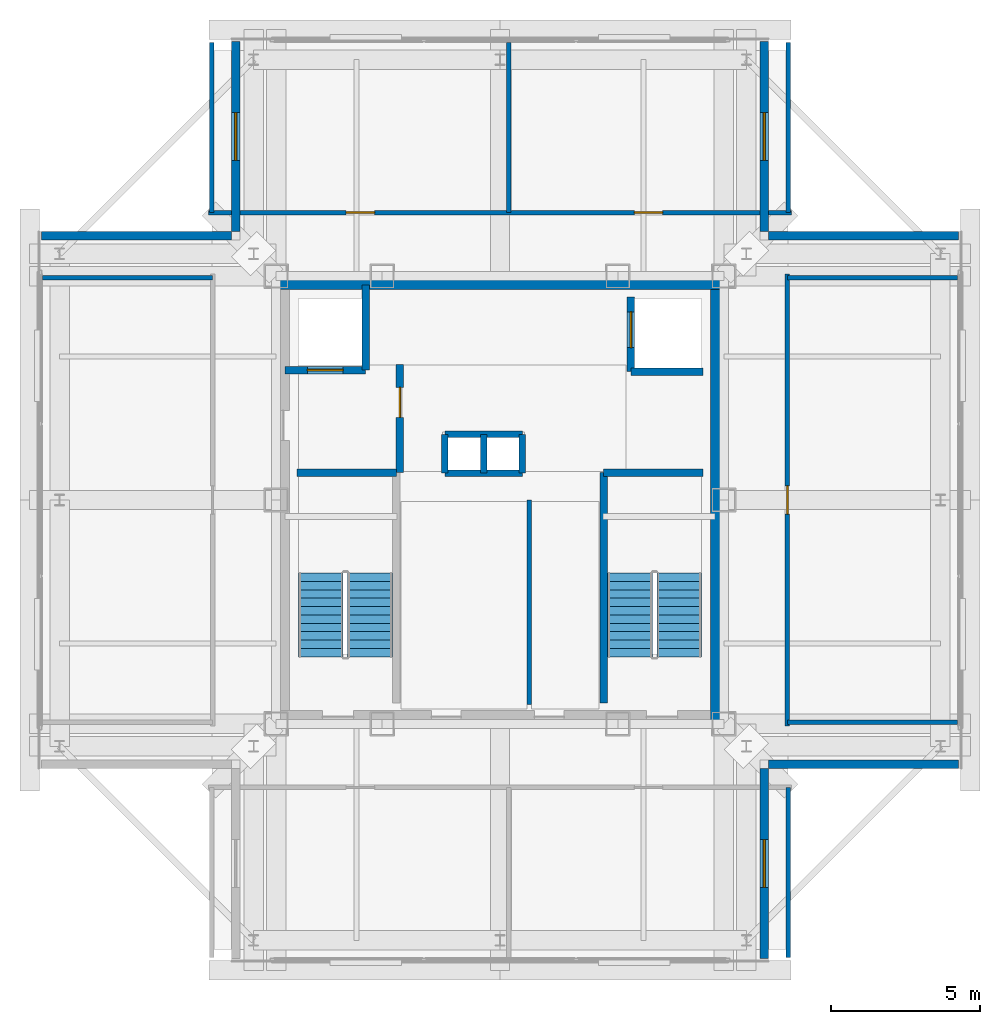
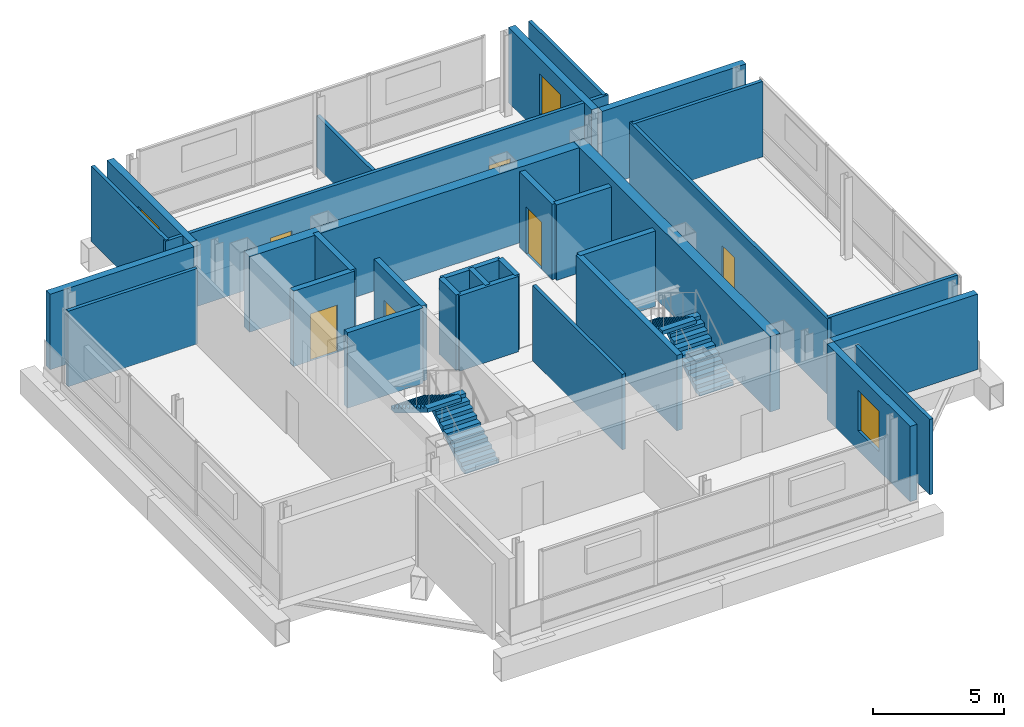
# One storey, part 7 of 10: 31 walls, 6 doors, 4 stair flights, 3 windows, 9 openings, 2 elements without a shape of their own.
"""IFC4 building model written with IfcOpenShell, lengths in metres."""

from ifc_helpers import new_model, si_unit, direction, frame, frame_2d, origin, place, context, subcontext, project, spatial, polyline, rectangle, outline, extrude, material, layer, layer_set, type_object, element, fill, aggregate, save


model = new_model("IFC4")

# Units and contexts
model_context = context("Model", 3, precision=1e-05, world=origin(), true_north=direction((0.0, 1.0)))
body_context = subcontext(model_context, "Body", "Model", "MODEL_VIEW")
ifc_project = project(units=[si_unit("LENGTHUNIT", "METRE"), si_unit("AREAUNIT", "SQUARE_METRE"), si_unit("VOLUMEUNIT", "CUBIC_METRE"), si_unit("PLANEANGLEUNIT", "RADIAN"), si_unit("MASSUNIT", "GRAM", prefix="KILO")], contexts=[model_context])

# Site, building, storey
site_placement = place(None, origin())
site = spatial("IfcSite", under=ifc_project, at=site_placement, CompositionType="ELEMENT")
building_placement = place(site_placement, origin())
building = spatial("IfcBuilding", under=site, at=building_placement, Name="Trevonay Congress Spire", CompositionType="ELEMENT")
storey_placement = place(building_placement, frame((0.0, 0.0, 316.0)))
storey = spatial("IfcBuildingStorey", under=building, at=storey_placement, Name="L83", CompositionType="ELEMENT", Elevation=316.0)

# Walls
ifc_material_1 = material(Name="Concrete C50/60", Category="concrete")
ifc_layer_1 = layer(ifc_material_1, 0.449951171875, Name="Concrete C50/60")
ifc_layer_set_1 = layer_set([ifc_layer_1], Name="Concrete C50/60")
wall_type_1 = type_object("IfcWallType", Name="WAL-CORE-450", PredefinedType="SHEAR", material=ifc_layer_set_1)
for number, where, z_axis, x_axis, name in (
    (1, (-7.5, 7.27490234375, 0.0), (0.0, 0.0, 1.0), (1.0, 0.0, 0.0), "L83 North structural core shear wall"),
    (2, (7.27490234375, -7.5, 0.0), (0.0, 0.0, 1.0), (0.0, 1.0, 0.0), "L83 East structural core shear wall"),
):
    element("IfcWall", number, at=place(storey_placement, frame(where, z_axis=z_axis, x_axis=x_axis)), inside=storey, type_object=wall_type_1, Name=name, PredefinedType="SHEAR", context=body_context, shape_type="SweptSolid", body=[
        extrude(rectangle(XDim=15.0, YDim=0.449951171875, at=frame_2d((7.5, 0.0))), origin(), (0.0, 0.0, 1.0), 3.52001953125),
    ])

# Wall, openings, doors
ifc_material_2 = material(Name="Concrete C40/50", Category="concrete")
ifc_layer_2 = layer(ifc_material_2, 0.14990234375, Name="Concrete C40/50")
ifc_layer_set_2 = layer_set([ifc_layer_2], Name="Concrete C40/50")
wall_type_2 = type_object("IfcWallType", Name="WAL-CORR-150", PredefinedType="PARTITIONING", material=ifc_layer_set_2)
wall_1_placement = place(storey_placement, frame((-9.77001953125, 9.6201171875, 0.0), z_axis=(0.0, 0.0, 1.0), x_axis=(1.0, 0.0, 0.0)))
wall_1 = element("IfcWall", 3, at=wall_1_placement, inside=storey, type_object=wall_type_2, Name="L83 interior wall WP-L83N-COR", PredefinedType="PARTITIONING", context=body_context, shape_type="SweptSolid", body=[
    extrude(rectangle(XDim=19.5400390625, YDim=0.14990234375, at=frame_2d((9.77001953125, 0.0))), origin(), (0.0, 0.0, 1.0), 3.52001953125),
])
opening_1_placement = place(wall_1_placement, frame((4.6201171875, 0.0, 0.0)))
opening_1 = element("IfcOpeningElement", 4, at=opening_1_placement, cuts=wall_1, Name="Opening D07", PredefinedType="OPENING", context=body_context, shape_type="SweptSolid", body=[
    extrude(rectangle(XDim=0.949951171875, YDim=2.06005859375, at=frame_2d((0.47509765625, 1.030029296875))), frame((0.0, 0.0849609375, 0.0), z_axis=(0.0, -1.0, 0.0), x_axis=(1.0, 0.0, 0.0)), (0.0, 0.0, 1.0), 0.169921875),
])
opening_2_placement = place(wall_1_placement, frame((14.27001953125, 0.0, 0.0)))
opening_2 = element("IfcOpeningElement", 5, at=opening_2_placement, cuts=wall_1, Name="Opening D07", PredefinedType="OPENING", context=body_context, shape_type="SweptSolid", body=[
    extrude(rectangle(XDim=0.949951171875, YDim=2.06005859375, at=frame_2d((0.47509765625, 1.030029296875))), frame((0.0, 0.0849609375, 0.0), z_axis=(0.0, -1.0, 0.0), x_axis=(1.0, 0.0, 0.0)), (0.0, 0.0, 1.0), 0.169921875),
])
ifc_material_3 = material(Name="Pale Anodised Aluminium EN AW-6063-T6", Category="aluminium")
door_type_1 = type_object("IfcDoorType", Name="DOR-OFFICE-95", OperationType="NOTDEFINED", PredefinedType="DOOR", material=ifc_material_3)
door_1_placement = place(opening_1_placement, origin())
door_1 = element("IfcDoor", 6, at=door_1_placement, inside=storey, type_object=door_type_1, Name="L83 Crown Electrical Switchroom Plant Door", OperationType="SINGLE_SWING_RIGHT", OverallHeight=2.06005859375, OverallWidth=0.949951171875, PredefinedType="DOOR", context=body_context, shape_type="SweptSolid", body=[
    extrude(rectangle(XDim=0.949951171875, YDim=2.06005859375, at=frame_2d((0.47509765625, 1.030029296875))), frame((0.0, 0.02490234375, 0.0), z_axis=(0.0, -1.0, 0.0), x_axis=(1.0, 0.0, 0.0)), (0.0, 0.0, 1.0), 0.050048828125),
])
fill(opening_1, door_1)
door_2_placement = place(opening_2_placement, origin())
door_2 = element("IfcDoor", 7, at=door_2_placement, inside=storey, type_object=door_type_1, Name="L83 Standby UPS Battery Plant Door", OperationType="SINGLE_SWING_LEFT", OverallHeight=2.06005859375, OverallWidth=0.949951171875, PredefinedType="DOOR", context=body_context, shape_type="SweptSolid", body=[
    extrude(rectangle(XDim=0.949951171875, YDim=2.06005859375, at=frame_2d((0.47509765625, 1.030029296875))), frame((0.0, 0.02490234375, 0.0), z_axis=(0.0, -1.0, 0.0), x_axis=(1.0, 0.0, 0.0)), (0.0, 0.0, 1.0), 0.050048828125),
])
fill(opening_2, door_2)

# Wall, opening, door
wall_2_placement = place(storey_placement, frame((9.6201171875, -7.570068359375, 0.0), z_axis=(0.0, 0.0, 1.0), x_axis=(0.0, 1.0, 0.0)))
wall_2 = element("IfcWall", 8, at=wall_2_placement, inside=storey, type_object=wall_type_2, Name="L83 interior wall WP-L83E-COR", PredefinedType="PARTITIONING", context=body_context, shape_type="SweptSolid", body=[
    extrude(rectangle(XDim=15.14013671875, YDim=0.14990234375, at=frame_2d((7.570068359375, 0.0))), origin(), (0.0, 0.0, 1.0), 3.52001953125),
])
opening_3_placement = place(wall_2_placement, frame((7.094970703125, 0.0, 0.0)))
opening_3 = element("IfcOpeningElement", 9, at=opening_3_placement, cuts=wall_2, Name="Opening D07", PredefinedType="OPENING", context=body_context, shape_type="SweptSolid", body=[
    extrude(rectangle(XDim=0.949951171875, YDim=2.06005859375, at=frame_2d((0.47509765625, 1.030029296875))), frame((0.0, 0.0849609375, 0.0), z_axis=(0.0, -1.0, 0.0), x_axis=(1.0, 0.0, 0.0)), (0.0, 0.0, 1.0), 0.169921875),
])
door_3_placement = place(opening_3_placement, origin())
door_3 = element("IfcDoor", 10, at=door_3_placement, inside=storey, type_object=door_type_1, Name="L83 Crown Lift Machine Plant Door", OperationType="SINGLE_SWING_LEFT", OverallHeight=2.06005859375, OverallWidth=0.949951171875, PredefinedType="DOOR", context=body_context, shape_type="SweptSolid", body=[
    extrude(rectangle(XDim=0.949951171875, YDim=2.06005859375, at=frame_2d((0.47509765625, 1.030029296875))), frame((0.0, 0.02490234375, 0.0), z_axis=(0.0, -1.0, 0.0), x_axis=(1.0, 0.0, 0.0)), (0.0, 0.0, 1.0), 0.050048828125),
])
fill(opening_3, door_3)

# Wall, opening, window
ifc_material_4 = material(Name="Precast concrete C40/50", Category="concrete")
ifc_layer_3 = layer(ifc_material_4, 0.300048828125, Name="Precast concrete C40/50")
ifc_layer_set_3 = layer_set([ifc_layer_3], Name="Precast concrete C40/50")
wall_type_3 = type_object("IfcWallType", Name="WAL-EXT-PRECAST-300", PredefinedType="SOLIDWALL", material=ifc_layer_set_3)
wall_3_placement = place(storey_placement, frame((8.85009765625, -15.35009765625, 0.0), z_axis=(0.0, 0.0, 1.0), x_axis=(0.0, 1.0, 0.0)))
wall_3 = element("IfcWall", 11, at=wall_3_placement, inside=storey, type_object=wall_type_3, Name="L83 SE re-entrant notch exterior wall 1", PredefinedType="SOLIDWALL", context=body_context, shape_type="SweptSolid", body=[
    extrude(rectangle(XDim=6.35009765625, YDim=0.300048828125, at=frame_2d((3.175048828125, 0.0))), origin(), (0.0, 0.0, 1.0), 3.52001953125),
])
opening_4_placement = place(wall_3_placement, frame((2.375, 0.0, 0.89990234375)))
opening_4 = element("IfcOpeningElement", 12, at=opening_4_placement, cuts=wall_3, Name="Opening WN04", PredefinedType="OPENING", context=body_context, shape_type="SweptSolid", body=[
    extrude(rectangle(XDim=1.60009765625, YDim=1.89990234375, at=frame_2d((0.800048828125, 0.949951171875))), frame((0.0, 0.16015625, 0.0), z_axis=(0.0, -1.0, 0.0), x_axis=(1.0, 0.0, 0.0)), (0.0, 0.0, 1.0), 0.320068359375),
])
ifc_material_5 = material(Name="Insulated Low-E Vision Glass IGU", Category="glass")
window_type = type_object("IfcWindowType", Name="WIN-CROWN-160X190", PartitioningType="SINGLE_PANEL", PredefinedType="WINDOW", material=ifc_material_5)
window_1_placement = place(opening_4_placement, origin())
window_1 = element("IfcWindow", 13, at=window_1_placement, inside=storey, type_object=window_type, Name="L83 SE corner notch window", OverallHeight=1.89990234375, OverallWidth=1.60009765625, PartitioningType="SINGLE_PANEL", PredefinedType="WINDOW", context=body_context, shape_type="SweptSolid", body=[
    extrude(rectangle(XDim=1.60009765625, YDim=1.89990234375, at=frame_2d((0.800048828125, 0.949951171875))), frame((0.0, 0.030029296875, 0.0), z_axis=(0.0, -1.0, 0.0), x_axis=(1.0, 0.0, 0.0)), (0.0, 0.0, 1.0), 0.06005859375),
])
fill(opening_4, window_1)

# Wall
wall_4_placement = place(storey_placement, frame((15.35009765625, -8.85009765625, 0.0), z_axis=(0.0, 0.0, 1.0), x_axis=(-1.0, 0.0, 0.0)))
element("IfcWall", 14, at=wall_4_placement, inside=storey, type_object=wall_type_3, Name="L83 SE re-entrant notch exterior wall 2", PredefinedType="SOLIDWALL", context=body_context, shape_type="SweptSolid", body=[
    extrude(rectangle(XDim=6.35009765625, YDim=0.300048828125, at=frame_2d((3.175048828125, 0.0))), origin(), (0.0, 0.0, 1.0), 3.52001953125),
])

# Wall, opening, window
wall_5_placement = place(storey_placement, frame((8.85009765625, 15.35009765625, 0.0), z_axis=(0.0, 0.0, 1.0), x_axis=(0.0, -1.0, 0.0)))
wall_5 = element("IfcWall", 15, at=wall_5_placement, inside=storey, type_object=wall_type_3, Name="L83 NE re-entrant notch exterior wall 1", PredefinedType="SOLIDWALL", context=body_context, shape_type="SweptSolid", body=[
    extrude(rectangle(XDim=6.35009765625, YDim=0.300048828125, at=frame_2d((3.175048828125, 0.0))), origin(), (0.0, 0.0, 1.0), 3.52001953125),
])
opening_5_placement = place(wall_5_placement, frame((2.375, 0.0, 0.89990234375)))
opening_5 = element("IfcOpeningElement", 16, at=opening_5_placement, cuts=wall_5, Name="Opening WN04", PredefinedType="OPENING", context=body_context, shape_type="SweptSolid", body=[
    extrude(rectangle(XDim=1.60009765625, YDim=1.89990234375, at=frame_2d((0.800048828125, 0.949951171875))), frame((0.0, 0.16015625, 0.0), z_axis=(0.0, -1.0, 0.0), x_axis=(1.0, 0.0, 0.0)), (0.0, 0.0, 1.0), 0.320068359375),
])
window_2_placement = place(opening_5_placement, origin())
window_2 = element("IfcWindow", 17, at=window_2_placement, inside=storey, type_object=window_type, Name="L83 NE corner notch window", OverallHeight=1.89990234375, OverallWidth=1.60009765625, PartitioningType="SINGLE_PANEL", PredefinedType="WINDOW", context=body_context, shape_type="SweptSolid", body=[
    extrude(rectangle(XDim=1.60009765625, YDim=1.89990234375, at=frame_2d((0.800048828125, 0.949951171875))), frame((0.0, 0.030029296875, 0.0), z_axis=(0.0, -1.0, 0.0), x_axis=(1.0, 0.0, 0.0)), (0.0, 0.0, 1.0), 0.06005859375),
])
fill(opening_5, window_2)

# Wall
wall_6_placement = place(storey_placement, frame((15.35009765625, 8.85009765625, 0.0), z_axis=(0.0, 0.0, 1.0), x_axis=(-1.0, 0.0, 0.0)))
element("IfcWall", 18, at=wall_6_placement, inside=storey, type_object=wall_type_3, Name="L83 NE re-entrant notch exterior wall 2", PredefinedType="SOLIDWALL", context=body_context, shape_type="SweptSolid", body=[
    extrude(rectangle(XDim=6.35009765625, YDim=0.300048828125, at=frame_2d((3.175048828125, 0.0))), origin(), (0.0, 0.0, 1.0), 3.52001953125),
])

# Wall, opening, window
wall_7_placement = place(storey_placement, frame((-8.85009765625, 15.35009765625, 0.0), z_axis=(0.0, 0.0, 1.0), x_axis=(0.0, -1.0, 0.0)))
wall_7 = element("IfcWall", 19, at=wall_7_placement, inside=storey, type_object=wall_type_3, Name="L83 NW re-entrant notch exterior wall 1", PredefinedType="SOLIDWALL", context=body_context, shape_type="SweptSolid", body=[
    extrude(rectangle(XDim=6.35009765625, YDim=0.300048828125, at=frame_2d((3.175048828125, 0.0))), origin(), (0.0, 0.0, 1.0), 3.52001953125),
])
opening_6_placement = place(wall_7_placement, frame((2.375, 0.0, 0.89990234375)))
opening_6 = element("IfcOpeningElement", 20, at=opening_6_placement, cuts=wall_7, Name="Opening WN04", PredefinedType="OPENING", context=body_context, shape_type="SweptSolid", body=[
    extrude(rectangle(XDim=1.60009765625, YDim=1.89990234375, at=frame_2d((0.800048828125, 0.949951171875))), frame((0.0, 0.16015625, 0.0), z_axis=(0.0, -1.0, 0.0), x_axis=(1.0, 0.0, 0.0)), (0.0, 0.0, 1.0), 0.320068359375),
])
window_3_placement = place(opening_6_placement, origin())
window_3 = element("IfcWindow", 21, at=window_3_placement, inside=storey, type_object=window_type, Name="L83 NW corner notch window", OverallHeight=1.89990234375, OverallWidth=1.60009765625, PartitioningType="SINGLE_PANEL", PredefinedType="WINDOW", context=body_context, shape_type="SweptSolid", body=[
    extrude(rectangle(XDim=1.60009765625, YDim=1.89990234375, at=frame_2d((0.800048828125, 0.949951171875))), frame((0.0, 0.030029296875, 0.0), z_axis=(0.0, -1.0, 0.0), x_axis=(1.0, 0.0, 0.0)), (0.0, 0.0, 1.0), 0.06005859375),
])
fill(opening_6, window_3)

# Walls
wall_8_placement = place(storey_placement, frame((-15.35009765625, 8.85009765625, 0.0), z_axis=(0.0, 0.0, 1.0), x_axis=(1.0, 0.0, 0.0)))
element("IfcWall", 22, at=wall_8_placement, inside=storey, type_object=wall_type_3, Name="L83 NW re-entrant notch exterior wall 2", PredefinedType="SOLIDWALL", context=body_context, shape_type="SweptSolid", body=[
    extrude(rectangle(XDim=6.35009765625, YDim=0.300048828125, at=frame_2d((3.175048828125, 0.0))), origin(), (0.0, 0.0, 1.0), 3.52001953125),
])
ifc_layer_4 = layer(ifc_material_2, 0.14990234375, Name="Concrete C40/50")
ifc_layer_set_4 = layer_set([ifc_layer_4], Name="Concrete C40/50")
wall_type_4 = type_object("IfcWallType", Name="WAL-PART-150", PredefinedType="PARTITIONING", material=ifc_layer_set_4)
wall_9_placement = place(storey_placement, frame((0.97998046875, -6.85009765625, 0.0), z_axis=(0.0, 0.0, 1.0), x_axis=(0.0, 1.0, 0.0)))
element("IfcWall", 23, at=wall_9_placement, inside=storey, type_object=wall_type_4, Name="L83 interior wall CW-F3-L83", PredefinedType="PARTITIONING", context=body_context, shape_type="SweptSolid", body=[
    extrude(rectangle(XDim=6.85009765625, YDim=0.14990234375, at=frame_2d((3.425048828125, 0.0))), origin(), (0.0, 0.0, 1.0), 3.52001953125),
])
for number, where, z_axis, x_axis, name in (
    (24, (9.64990234375, -15.320068359375, 0.0), (0.0, 0.0, 1.0), (0.0, 1.0, 0.0), "L83 interior wall WP-L83S-DIV3"),
    (25, (-9.64990234375, 9.6201171875, 0.0), (0.0, 0.0, 1.0), (0.0, 1.0, 0.0), "L83 interior wall WP-L83N-DIV1"),
):
    element("IfcWall", number, at=place(storey_placement, frame(where, z_axis=z_axis, x_axis=x_axis)), inside=storey, type_object=wall_type_4, Name=name, PredefinedType="PARTITIONING", context=body_context, shape_type="SweptSolid", body=[
        extrude(rectangle(XDim=5.699951171875, YDim=0.14990234375, at=frame_2d((2.85009765625, 0.0))), origin(), (0.0, 0.0, 1.0), 3.52001953125),
    ])
wall_10_placement = place(storey_placement, frame((0.300048828125, 9.6201171875, 0.0), z_axis=(0.0, 0.0, 1.0), x_axis=(0.0, 1.0, 0.0)))
element("IfcWall", 26, at=wall_10_placement, inside=storey, type_object=wall_type_4, Name="L83 interior wall WP-L83N-DIV2", PredefinedType="PARTITIONING", context=body_context, shape_type="SweptSolid", body=[
    extrude(rectangle(XDim=5.699951171875, YDim=0.14990234375, at=frame_2d((2.85009765625, 0.0))), origin(), (0.0, 0.0, 1.0), 2.39501953125),
])
for number, where, z_axis, x_axis, name in (
    (27, (9.64990234375, 9.6201171875, 0.0), (0.0, 0.0, 1.0), (0.0, 1.0, 0.0), "L83 interior wall WP-L83N-DIV3"),
    (28, (-15.320068359375, 7.449951171875, 0.0), (0.0, 0.0, 1.0), (1.0, 0.0, 0.0), "L83 interior wall WP-L83W-DIV2"),
    (29, (9.6201171875, -7.449951171875, 0.0), (0.0, 0.0, 1.0), (1.0, 0.0, 0.0), "L83 interior wall WP-L83E-DIV1"),
    (30, (9.6201171875, 7.449951171875, 0.0), (0.0, 0.0, 1.0), (1.0, 0.0, 0.0), "L83 interior wall WP-L83E-DIV2"),
):
    element("IfcWall", number, at=place(storey_placement, frame(where, z_axis=z_axis, x_axis=x_axis)), inside=storey, type_object=wall_type_4, Name=name, PredefinedType="PARTITIONING", context=body_context, shape_type="SweptSolid", body=[
        extrude(rectangle(XDim=5.699951171875, YDim=0.14990234375, at=frame_2d((2.85009765625, 0.0))), origin(), (0.0, 0.0, 1.0), 3.52001953125),
    ])
ifc_layer_5 = layer(ifc_material_2, 0.219970703125, Name="Concrete C40/50")
ifc_layer_set_5 = layer_set([ifc_layer_5], Name="Concrete C40/50")
wall_type_5 = type_object("IfcWallType", Name="WAL-SHAFT-220", PredefinedType="PARTITIONING", material=ifc_layer_set_5)
for number, where, z_axis, x_axis, name in (
    (31, (-1.85009765625, 2.199951171875, 0.0), (0.0, 0.0, 1.0), (1.0, 0.0, 0.0), "L83 interior shaft wall WSH-L83-RSR-N"),
    (32, (-1.85009765625, 0.89990234375, 0.0), (0.0, 0.0, 1.0), (1.0, 0.0, 0.0), "L83 interior shaft wall WSH-L83-RSR-S"),
):
    element("IfcWall", number, at=place(storey_placement, frame(where, z_axis=z_axis, x_axis=x_axis)), inside=storey, type_object=wall_type_5, Name=name, PredefinedType="PARTITIONING", context=body_context, shape_type="SweptSolid", body=[
        extrude(rectangle(XDim=2.60009765625, YDim=0.219970703125, at=frame_2d((1.300048828125, 0.0))), origin(), (0.0, 0.0, 1.0), 3.52001953125),
    ])
for number, where, z_axis, x_axis, name in (
    (33, (-0.550048828125, 0.89990234375, 0.0), (0.0, 0.0, 1.0), (0.0, 1.0, 0.0), "L83 interior shaft wall WSH-L83-RSR-M"),
    (34, (0.75, 0.89990234375, 0.0), (0.0, 0.0, 1.0), (0.0, 1.0, 0.0), "L83 interior shaft wall WSH-L83-RSR-E"),
    (35, (-1.85009765625, 0.89990234375, 0.0), (0.0, 0.0, 1.0), (0.0, 1.0, 0.0), "L83 interior shaft wall WSH-L83-RSR-W"),
):
    element("IfcWall", number, at=place(storey_placement, frame(where, z_axis=z_axis, x_axis=x_axis)), inside=storey, type_object=wall_type_5, Name=name, PredefinedType="PARTITIONING", context=body_context, shape_type="SweptSolid", body=[
        extrude(rectangle(XDim=1.300048828125, YDim=0.219970703125, at=frame_2d((0.64990234375, 0.0))), origin(), (0.0, 0.0, 1.0), 3.52001953125),
    ])

# Wall, opening, door
ifc_layer_6 = layer(ifc_material_2, 0.25, Name="Concrete C40/50")
ifc_layer_set_6 = layer_set([ifc_layer_6], Name="Concrete C40/50")
wall_type_6 = type_object("IfcWallType", Name="WAL-SHAFT-250", PredefinedType="SHEAR", material=ifc_layer_set_6)
wall_11_placement = place(storey_placement, frame((-7.199951171875, 4.35009765625, 0.0), z_axis=(0.0, 0.0, 1.0), x_axis=(1.0, 0.0, 0.0)))
wall_11 = element("IfcWall", 36, at=wall_11_placement, inside=storey, type_object=wall_type_6, Name="L83 interior shaft wall WSH-L83-FF1-S", PredefinedType="SHEAR", context=body_context, shape_type="SweptSolid", body=[
    extrude(rectangle(XDim=2.699951171875, YDim=0.25, at=frame_2d((1.35009765625, 0.0))), origin(), (0.0, 0.0, 1.0), 3.52001953125),
])
opening_7_placement = place(wall_11_placement, frame((0.75, 0.0, 0.0)))
opening_7 = element("IfcOpeningElement", 37, at=opening_7_placement, cuts=wall_11, Name="Opening LD04", PredefinedType="OPENING", context=body_context, shape_type="SweptSolid", body=[
    extrude(rectangle(XDim=1.199951171875, YDim=2.199951171875, at=frame_2d((0.60009765625, 1.10009765625))), frame((0.0, 0.135009765625, 0.0), z_axis=(0.0, -1.0, 0.0), x_axis=(1.0, 0.0, 0.0)), (0.0, 0.0, 1.0), 0.27001953125),
])
ifc_material_6 = material(Name="Steel ASTM A572 Grade 50", Category="steel")
door_type_2 = type_object("IfcDoorType", Name="DOR-LIFT-LD04", OperationType="DOUBLE_DOOR_SLIDING", PredefinedType="DOOR", material=ifc_material_6)
door_4_placement = place(opening_7_placement, origin())
door_4 = element("IfcDoor", 38, at=door_4_placement, inside=storey, type_object=door_type_2, Name="L83 Firefighting lift FFL-01 landing door", OperationType="DOUBLE_DOOR_SLIDING", OverallHeight=2.199951171875, OverallWidth=1.199951171875, PredefinedType="DOOR", context=body_context, shape_type="SweptSolid", body=[
    extrude(rectangle(XDim=1.199951171875, YDim=2.199951171875, at=frame_2d((0.60009765625, 1.10009765625))), frame((0.0, 0.02490234375, 0.0), z_axis=(0.0, -1.0, 0.0), x_axis=(1.0, 0.0, 0.0)), (0.0, 0.0, 1.0), 0.050048828125),
])
fill(opening_7, door_4)

# Walls
wall_12_placement = place(storey_placement, frame((-4.5, 4.35009765625, 0.0), z_axis=(0.0, 0.0, 1.0), x_axis=(0.0, 1.0, 0.0)))
element("IfcWall", 39, at=wall_12_placement, inside=storey, type_object=wall_type_6, Name="L83 interior shaft wall WSH-L83-FF1-E", PredefinedType="SHEAR", context=body_context, shape_type="SweptSolid", body=[
    extrude(rectangle(XDim=2.849853515625, YDim=0.25, at=frame_2d((1.4248046875, 0.0))), origin(), (0.0, 0.0, 1.0), 3.52001953125),
])
wall_13_placement = place(storey_placement, frame((4.3798828125, 4.300048828125, 0.0), z_axis=(0.0, 0.0, 1.0), x_axis=(1.0, 0.0, 0.0)))
element("IfcWall", 40, at=wall_13_placement, inside=storey, type_object=wall_type_6, Name="L83 interior shaft wall WSH-L83-FF2-S", PredefinedType="SHEAR", context=body_context, shape_type="SweptSolid", body=[
    extrude(rectangle(XDim=2.420166015625, YDim=0.25, at=frame_2d((1.2099609375, 0.0))), origin(), (0.0, 0.0, 1.0), 3.52001953125),
])

# Wall, opening, door
wall_14_placement = place(storey_placement, frame((4.3798828125, 4.300048828125, 0.0), z_axis=(0.0, 0.0, 1.0), x_axis=(0.0, 1.0, 0.0)))
wall_14 = element("IfcWall", 41, at=wall_14_placement, inside=storey, type_object=wall_type_6, Name="L83 interior shaft wall WSH-L83-FF2-W", PredefinedType="SHEAR", context=body_context, shape_type="SweptSolid", body=[
    extrude(rectangle(XDim=2.5, YDim=0.25, at=frame_2d((1.25, 0.0))), origin(), (0.0, 0.0, 1.0), 3.52001953125),
])
opening_8_placement = place(wall_14_placement, frame((0.800048828125, 0.0, 0.0)))
opening_8 = element("IfcOpeningElement", 42, at=opening_8_placement, cuts=wall_14, Name="Opening LD04", PredefinedType="OPENING", context=body_context, shape_type="SweptSolid", body=[
    extrude(rectangle(XDim=1.199951171875, YDim=2.199951171875, at=frame_2d((0.60009765625, 1.10009765625))), frame((0.0, 0.135009765625, 0.0), z_axis=(0.0, -1.0, 0.0), x_axis=(1.0, 0.0, 0.0)), (0.0, 0.0, 1.0), 0.27001953125),
])
door_5_placement = place(opening_8_placement, origin())
door_5 = element("IfcDoor", 43, at=door_5_placement, inside=storey, type_object=door_type_2, Name="L83 Firefighting lift FFL-02 landing door", OperationType="DOUBLE_DOOR_SLIDING", OverallHeight=2.199951171875, OverallWidth=1.199951171875, PredefinedType="DOOR", context=body_context, shape_type="SweptSolid", body=[
    extrude(rectangle(XDim=1.199951171875, YDim=2.199951171875, at=frame_2d((0.60009765625, 1.10009765625))), frame((0.0, 0.02490234375, 0.0), z_axis=(0.0, -1.0, 0.0), x_axis=(1.0, 0.0, 0.0)), (0.0, 0.0, 1.0), 0.050048828125),
])
fill(opening_8, door_5)

wall_15_placement = place(storey_placement, frame((-3.35009765625, 0.919921875, 0.0), z_axis=(0.0, 0.0, 1.0), x_axis=(0.0, 1.0, 0.0)))
wall_15 = element("IfcWall", 44, at=wall_15_placement, inside=storey, type_object=wall_type_6, Name="L83 interior wall CW-FFLW-E-L83", PredefinedType="SHEAR", context=body_context, shape_type="SweptSolid", body=[
    extrude(rectangle(XDim=3.6201171875, YDim=0.25, at=frame_2d((1.81005859375, 0.0))), origin(), (0.0, 0.0, 1.0), 3.52001953125),
])
opening_9_placement = place(wall_15_placement, frame((1.85009765625, 0.0, 0.0)))
opening_9 = element("IfcOpeningElement", 45, at=opening_9_placement, cuts=wall_15, Name="Opening D06", PredefinedType="OPENING", context=body_context, shape_type="SweptSolid", body=[
    extrude(rectangle(XDim=1.0, YDim=2.080078125, at=frame_2d((0.5, 1.0400390625))), frame((0.0, 0.135009765625, 0.0), z_axis=(0.0, -1.0, 0.0), x_axis=(1.0, 0.0, 0.0)), (0.0, 0.0, 1.0), 0.27001953125),
])
door_type_3 = type_object("IfcDoorType", Name="DOR-FIRE-100", OperationType="NOTDEFINED", PredefinedType="DOOR", material=ifc_material_6)
door_6_placement = place(opening_9_placement, origin())
door_6 = element("IfcDoor", 46, at=door_6_placement, inside=storey, type_object=door_type_3, Name="L83 Firefighting Core Lobby Transfer Door", OperationType="SINGLE_SWING_LEFT", OverallHeight=2.080078125, OverallWidth=1.0, PredefinedType="DOOR", context=body_context, shape_type="SweptSolid", body=[
    extrude(rectangle(XDim=1.0, YDim=2.080078125, at=frame_2d((0.5, 1.0400390625))), frame((0.0, 0.02490234375, 0.0), z_axis=(0.0, -1.0, 0.0), x_axis=(1.0, 0.0, 0.0)), (0.0, 0.0, 1.0), 0.050048828125),
])
fill(opening_9, door_6)

# Walls
ifc_layer_7 = layer(ifc_material_2, 0.25, Name="Concrete C40/50")
ifc_layer_set_7 = layer_set([ifc_layer_7], Name="Concrete C40/50")
wall_type_7 = type_object("IfcWallType", Name="WAL-SHAFT-LB-250", PredefinedType="SHEAR", material=ifc_layer_set_7)
wall_16_placement = place(storey_placement, frame((-6.800048828125, 0.919921875, 0.0), z_axis=(0.0, 0.0, 1.0), x_axis=(1.0, 0.0, 0.0)))
element("IfcWall", 47, at=wall_16_placement, inside=storey, type_object=wall_type_7, Name="L83 interior shaft wall WSH-L83-ST1-N", PredefinedType="SHEAR", context=body_context, shape_type="SweptSolid", body=[
    extrude(rectangle(XDim=3.330078125, YDim=0.25, at=frame_2d((1.6650390625, 0.0))), origin(), (0.0, 0.0, 1.0), 3.52001953125),
])
wall_17_placement = place(storey_placement, frame((3.469970703125, -6.800048828125, 0.0), z_axis=(0.0, 0.0, 1.0), x_axis=(0.0, 1.0, 0.0)))
element("IfcWall", 48, at=wall_17_placement, inside=storey, type_object=wall_type_7, Name="L83 interior shaft wall WSH-L83-ST2-W", PredefinedType="SHEAR", context=body_context, shape_type="SweptSolid", body=[
    extrude(rectangle(XDim=7.719970703125, YDim=0.25, at=frame_2d((3.85986328125, 0.0))), origin(), (0.0, 0.0, 1.0), 3.52001953125),
])
wall_18_placement = place(storey_placement, frame((3.469970703125, 0.919921875, 0.0), z_axis=(0.0, 0.0, 1.0), x_axis=(1.0, 0.0, 0.0)))
element("IfcWall", 49, at=wall_18_placement, inside=storey, type_object=wall_type_7, Name="L83 interior shaft wall WSH-L83-ST2-N", PredefinedType="SHEAR", context=body_context, shape_type="SweptSolid", body=[
    extrude(rectangle(XDim=3.330078125, YDim=0.25, at=frame_2d((1.6650390625, 0.0))), origin(), (0.0, 0.0, 1.0), 3.52001953125),
])

# Stair, stair flights
stair_type_1 = type_object("IfcStairType", Name="STR-ST-1", PredefinedType="HALF_TURN_STAIR", material=ifc_material_2)
stair_1_placement = place(storey_placement, origin())
stair_1 = element("IfcStair", 50, at=stair_1_placement, inside=storey, type_object=stair_type_1, Name="L83 Protected Exit Stair ST-1", PredefinedType="HALF_TURN_STAIR")
stair_flight_type_1 = type_object("IfcStairFlightType", Name="SFL-ST-1", PredefinedType="STRAIGHT", material=ifc_material_2)
stair_flight_1_placement = place(storey_placement, frame((-4.35009765625, -5.25, 0.0), z_axis=(0.0, 0.0, 1.0), x_axis=(0.0, 1.0, 0.0)))
stair_flight_1 = element("IfcStairFlight", 51, at=stair_flight_1_placement, type_object=stair_flight_type_1, Name="ST-1 flight 1", NumberOfRisers=11, NumberOfTreads=10, PredefinedType="STRAIGHT", RiserHeight=0.172727273, TreadLength=0.28, context=body_context, shape_type="SweptSolid", body=[
    extrude(outline(polyline([(0.0, 0.0), (0.0, 0.172607421875), (0.280029296875, 0.172607421875), (0.280029296875, 0.345458984375), (0.56005859375, 0.345458984375), (0.56005859375, 0.51806640625), (0.840087890625, 0.51806640625), (0.840087890625, 0.69091796875), (1.1201171875, 0.69091796875), (1.1201171875, 0.863525390625), (1.39990234375, 0.863525390625), (1.39990234375, 1.036376953125), (1.679931640625, 1.036376953125), (1.679931640625, 1.208984375), (1.9599609375, 1.208984375), (1.9599609375, 1.3818359375), (2.239990234375, 1.3818359375), (2.239990234375, 1.554443359375), (2.52001953125, 1.554443359375), (2.52001953125, 1.727294921875), (2.800048828125, 1.727294921875), (2.800048828125, 1.89990234375), (2.800048828125, 1.551025390625), (0.285400390625, 0.0), (0.0, 0.0)])), frame((0.0, 0.75, 0.0), z_axis=(0.0, -1.0, 0.0), x_axis=(1.0, 0.0, 0.0)), (0.0, 0.0, 1.0), 1.5),
])
stair_flight_2_placement = place(storey_placement, frame((-6.0, -2.449951171875, 1.89990234375), z_axis=(0.0, 0.0, 1.0), x_axis=(0.0, -1.0, 0.0)))
stair_flight_2 = element("IfcStairFlight", 52, at=stair_flight_2_placement, type_object=stair_flight_type_1, Name="ST-1 flight 2", NumberOfRisers=11, NumberOfTreads=10, PredefinedType="STRAIGHT", RiserHeight=0.172727273, TreadLength=0.28, context=body_context, shape_type="SweptSolid", body=[
    extrude(outline(polyline([(0.0, 0.0), (0.0, 0.172607421875), (0.280029296875, 0.172607421875), (0.280029296875, 0.345458984375), (0.56005859375, 0.345458984375), (0.56005859375, 0.51806640625), (0.840087890625, 0.51806640625), (0.840087890625, 0.69091796875), (1.1201171875, 0.69091796875), (1.1201171875, 0.863525390625), (1.39990234375, 0.863525390625), (1.39990234375, 1.036376953125), (1.679931640625, 1.036376953125), (1.679931640625, 1.208984375), (1.9599609375, 1.208984375), (1.9599609375, 1.3818359375), (2.239990234375, 1.3818359375), (2.239990234375, 1.554443359375), (2.52001953125, 1.554443359375), (2.52001953125, 1.727294921875), (2.800048828125, 1.727294921875), (2.800048828125, 1.89990234375), (2.800048828125, 1.551025390625), (0.285400390625, 0.0), (0.0, 0.0)])), frame((0.0, 0.75, 0.0), z_axis=(0.0, -1.0, 0.0), x_axis=(1.0, 0.0, 0.0)), (0.0, 0.0, 1.0), 1.5),
])
aggregate(stair_1, [stair_flight_1, stair_flight_2])

stair_type_2 = type_object("IfcStairType", Name="STR-ST-2", PredefinedType="HALF_TURN_STAIR", material=ifc_material_2)
stair_2_placement = place(storey_placement, origin())
stair_2 = element("IfcStair", 53, at=stair_2_placement, inside=storey, type_object=stair_type_2, Name="L83 Protected Exit Stair ST-2", PredefinedType="HALF_TURN_STAIR")
stair_flight_type_2 = type_object("IfcStairFlightType", Name="SFL-ST-2", PredefinedType="STRAIGHT", material=ifc_material_2)
stair_flight_3_placement = place(storey_placement, frame((6.0, -5.25, 0.0), z_axis=(0.0, 0.0, 1.0), x_axis=(0.0, 1.0, 0.0)))
stair_flight_3 = element("IfcStairFlight", 54, at=stair_flight_3_placement, type_object=stair_flight_type_2, Name="ST-2 flight 1", NumberOfRisers=11, NumberOfTreads=10, PredefinedType="STRAIGHT", RiserHeight=0.172727273, TreadLength=0.28, context=body_context, shape_type="SweptSolid", body=[
    extrude(outline(polyline([(0.0, 0.0), (0.0, 0.172607421875), (0.280029296875, 0.172607421875), (0.280029296875, 0.345458984375), (0.56005859375, 0.345458984375), (0.56005859375, 0.51806640625), (0.840087890625, 0.51806640625), (0.840087890625, 0.69091796875), (1.1201171875, 0.69091796875), (1.1201171875, 0.863525390625), (1.39990234375, 0.863525390625), (1.39990234375, 1.036376953125), (1.679931640625, 1.036376953125), (1.679931640625, 1.208984375), (1.9599609375, 1.208984375), (1.9599609375, 1.3818359375), (2.239990234375, 1.3818359375), (2.239990234375, 1.554443359375), (2.52001953125, 1.554443359375), (2.52001953125, 1.727294921875), (2.800048828125, 1.727294921875), (2.800048828125, 1.89990234375), (2.800048828125, 1.551025390625), (0.285400390625, 0.0), (0.0, 0.0)])), frame((0.0, 0.75, 0.0), z_axis=(0.0, -1.0, 0.0), x_axis=(1.0, 0.0, 0.0)), (0.0, 0.0, 1.0), 1.5),
])
stair_flight_4_placement = place(storey_placement, frame((4.35009765625, -2.449951171875, 1.89990234375), z_axis=(0.0, 0.0, 1.0), x_axis=(0.0, -1.0, 0.0)))
stair_flight_4 = element("IfcStairFlight", 55, at=stair_flight_4_placement, type_object=stair_flight_type_2, Name="ST-2 flight 2", NumberOfRisers=11, NumberOfTreads=10, PredefinedType="STRAIGHT", RiserHeight=0.172727273, TreadLength=0.28, context=body_context, shape_type="SweptSolid", body=[
    extrude(outline(polyline([(0.0, 0.0), (0.0, 0.172607421875), (0.280029296875, 0.172607421875), (0.280029296875, 0.345458984375), (0.56005859375, 0.345458984375), (0.56005859375, 0.51806640625), (0.840087890625, 0.51806640625), (0.840087890625, 0.69091796875), (1.1201171875, 0.69091796875), (1.1201171875, 0.863525390625), (1.39990234375, 0.863525390625), (1.39990234375, 1.036376953125), (1.679931640625, 1.036376953125), (1.679931640625, 1.208984375), (1.9599609375, 1.208984375), (1.9599609375, 1.3818359375), (2.239990234375, 1.3818359375), (2.239990234375, 1.554443359375), (2.52001953125, 1.554443359375), (2.52001953125, 1.727294921875), (2.800048828125, 1.727294921875), (2.800048828125, 1.89990234375), (2.800048828125, 1.551025390625), (0.285400390625, 0.0), (0.0, 0.0)])), frame((0.0, 0.75, 0.0), z_axis=(0.0, -1.0, 0.0), x_axis=(1.0, 0.0, 0.0)), (0.0, 0.0, 1.0), 1.5),
])
aggregate(stair_2, [stair_flight_3, stair_flight_4])

save(model, "model.ifc")
